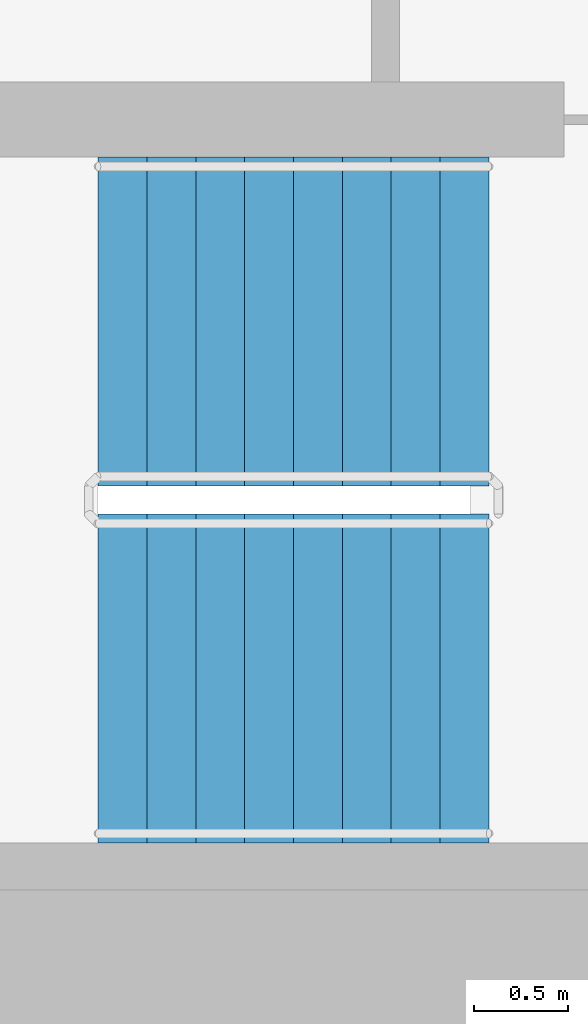
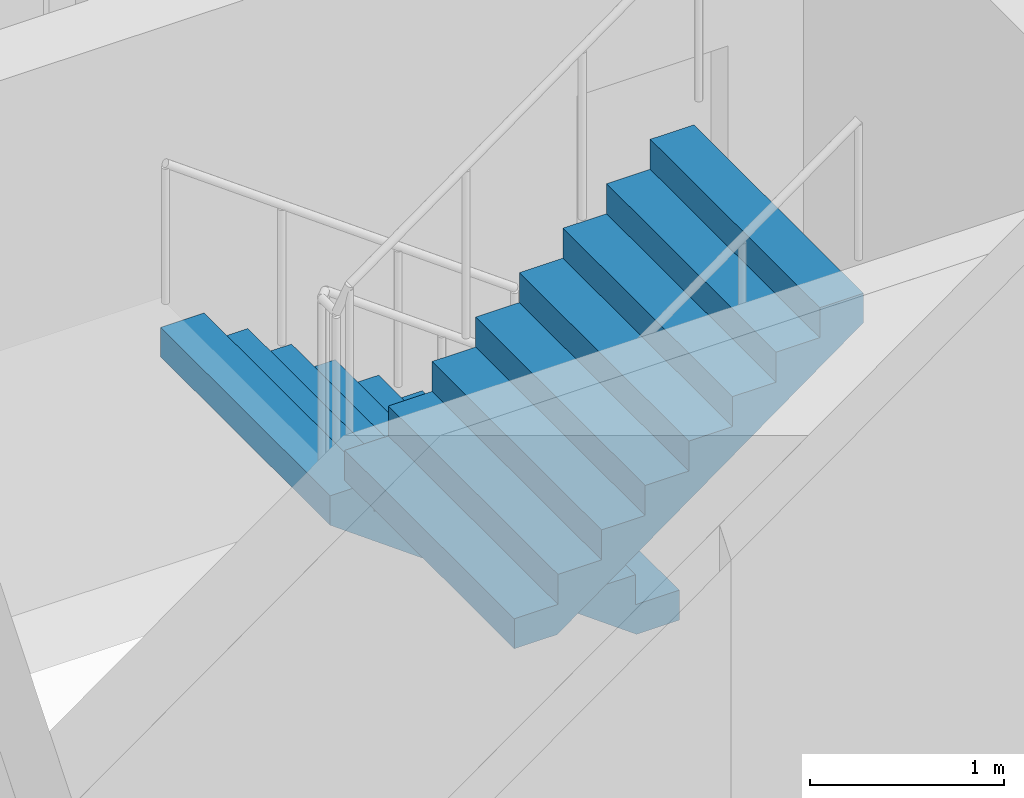
# One storey, part 15 of 21: 2 stair flights, 1 element without a shape of its own.
"""IFC4 building model written with IfcOpenShell, lengths in metres."""

from ifc_helpers import new_model, si_unit, direction, frame, origin, place, context, subcontext, project, spatial, faceted_brep, material, type_object, element, aggregate, save


model = new_model("IFC4")

# Units and contexts
model_context = context("Model", 3, precision=1e-05, world=origin(), true_north=direction((0.0, 1.0)))
body_context = subcontext(model_context, "Body", "Model", "MODEL_VIEW")
ifc_project = project(units=[si_unit("LENGTHUNIT", "METRE"), si_unit("AREAUNIT", "SQUARE_METRE"), si_unit("VOLUMEUNIT", "CUBIC_METRE"), si_unit("PLANEANGLEUNIT", "RADIAN"), si_unit("MASSUNIT", "GRAM", prefix="KILO")], contexts=[model_context])

# Site, building, storey
site_placement = place(None, origin())
site = spatial("IfcSite", under=ifc_project, at=site_placement, CompositionType="ELEMENT")
building_placement = place(site_placement, origin())
building = spatial("IfcBuilding", under=site, at=building_placement, Name="Ipe Terrace Towers", CompositionType="ELEMENT")
storey_placement = place(building_placement, frame((0.0, 0.0, 86.800048828125)))
storey = spatial("IfcBuildingStorey", under=building, at=storey_placement, Name="L23", CompositionType="ELEMENT", Elevation=86.800048828125)

# Stair, stair flights
ifc_material_1 = material(Name="Concrete C30/37", Category="concrete")
stair_type = type_object("IfcStairType", Name="Protected exit stair", PredefinedType="HALF_TURN_STAIR", material=ifc_material_1)
stair_placement = place(storey_placement, origin())
stair = element("IfcStair", 1, at=stair_placement, inside=storey, type_object=stair_type, Name="L23 Exit stair T1-C2", PredefinedType="HALF_TURN_STAIR")
ifc_material_2 = material(Name="Concrete C30/37", Category="concrete")
stair_flight_type = type_object("IfcStairFlightType", Name="Exit stair flight 1750", PredefinedType="STRAIGHT", material=ifc_material_2)
stair_flight_1_placement = place(storey_placement, frame((-45.699951171875, -2.77490234375, 0.0), z_axis=(0.0, 0.0, 1.0), x_axis=(-1.0, 0.0, 0.0)))
stair_flight_1 = element("IfcStairFlight", 2, at=stair_flight_1_placement, type_object=stair_flight_type, Name="T1-ST2 flight 1", NumberOfRisers=9, NumberOfTreads=8, PredefinedType="STRAIGHT", RiserHeight=0.188888889, TreadLength=0.26, context=body_context, shape_type="Brep", body=[
    faceted_brep([(0.255126953125, -0.875, 0.0), (2.080078125, -0.875, 1.325927734375), (2.080078125, -0.875, 1.51123046875), (1.820068359375, -0.875, 1.51123046875), (1.820068359375, -0.875, 1.322265625), (1.56005859375, -0.875, 1.322265625), (1.56005859375, -0.875, 1.13330078125), (1.300048828125, -0.875, 1.13330078125), (1.300048828125, -0.875, 0.9443359375), (1.0400390625, -0.875, 0.9443359375), (1.0400390625, -0.875, 0.755615234375), (0.780029296875, -0.875, 0.755615234375), (0.780029296875, -0.875, 0.566650390625), (0.52001953125, -0.875, 0.566650390625), (0.52001953125, -0.875, 0.377685546875), (0.260009765625, -0.875, 0.377685546875), (0.260009765625, -0.875, 0.18896484375), (0.0, -0.875, 0.18896484375), (0.0, -0.875, 0.0), (0.0, 0.875, 0.0), (0.0, 0.875, 0.18896484375), (0.260009765625, 0.875, 0.18896484375), (0.260009765625, 0.875, 0.377685546875), (0.52001953125, 0.875, 0.377685546875), (0.52001953125, 0.875, 0.566650390625), (0.780029296875, 0.875, 0.566650390625), (0.780029296875, 0.875, 0.755615234375), (1.0400390625, 0.875, 0.755615234375), (1.0400390625, 0.875, 0.9443359375), (1.300048828125, 0.875, 0.9443359375), (1.300048828125, 0.875, 1.13330078125), (1.56005859375, 0.875, 1.13330078125), (1.56005859375, 0.875, 1.322265625), (1.820068359375, 0.875, 1.322265625), (1.820068359375, 0.875, 1.51123046875), (2.080078125, 0.875, 1.51123046875), (2.080078125, 0.875, 1.325927734375), (0.255126953125, 0.875, 0.0), (0.0, -0.300048828125, 0.18896484375), (0.0, -0.1201171875, 0.18896484375), (0.0, -0.06005859375, 0.18896484375), (0.0, -0.030029296875, 0.18896484375), (0.0, -0.010009765625, 0.18896484375), (0.0, 0.0, 0.18896484375), (0.0, 0.010009765625, 0.18896484375), (0.0, 0.030029296875, 0.18896484375), (0.0, 0.06005859375, 0.18896484375), (0.0, 0.1201171875, 0.18896484375), (0.0, 0.300048828125, 0.18896484375), (0.0, 0.300048828125, 0.0), (0.0, 0.1201171875, 0.0), (0.0, 0.06005859375, 0.0), (0.0, 0.030029296875, 0.0), (0.0, 0.010009765625, 0.0), (0.0, 0.0, 0.0), (0.0, -0.010009765625, 0.0), (0.0, -0.030029296875, 0.0), (0.0, -0.06005859375, 0.0), (0.0, -0.1201171875, 0.0), (0.0, -0.300048828125, 0.0), (0.260009765625, -0.300048828125, 0.18896484375), (0.260009765625, -0.1201171875, 0.18896484375), (0.260009765625, -0.06005859375, 0.18896484375), (0.260009765625, -0.030029296875, 0.18896484375), (0.260009765625, -0.010009765625, 0.18896484375), (0.260009765625, 0.0, 0.18896484375), (0.260009765625, 0.010009765625, 0.18896484375), (0.260009765625, 0.030029296875, 0.18896484375), (0.260009765625, 0.06005859375, 0.18896484375), (0.260009765625, 0.1201171875, 0.18896484375), (0.260009765625, 0.300048828125, 0.18896484375), (0.260009765625, -0.300048828125, 0.377685546875), (0.260009765625, -0.1201171875, 0.377685546875), (0.260009765625, -0.06005859375, 0.377685546875), (0.260009765625, -0.030029296875, 0.377685546875), (0.260009765625, -0.010009765625, 0.377685546875), (0.260009765625, 0.0, 0.377685546875), (0.260009765625, 0.010009765625, 0.377685546875), (0.260009765625, 0.030029296875, 0.377685546875), (0.260009765625, 0.06005859375, 0.377685546875), (0.260009765625, 0.1201171875, 0.377685546875), (0.260009765625, 0.300048828125, 0.377685546875), (0.52001953125, -0.300048828125, 0.377685546875), (0.52001953125, -0.1201171875, 0.377685546875), (0.52001953125, -0.06005859375, 0.377685546875), (0.52001953125, -0.030029296875, 0.377685546875), (0.52001953125, -0.010009765625, 0.377685546875), (0.52001953125, 0.0, 0.377685546875), (0.52001953125, 0.010009765625, 0.377685546875), (0.52001953125, 0.030029296875, 0.377685546875), (0.52001953125, 0.06005859375, 0.377685546875), (0.52001953125, 0.1201171875, 0.377685546875), (0.52001953125, 0.300048828125, 0.377685546875), (0.52001953125, -0.300048828125, 0.566650390625), (0.52001953125, -0.1201171875, 0.566650390625), (0.52001953125, -0.06005859375, 0.566650390625), (0.52001953125, -0.030029296875, 0.566650390625), (0.52001953125, -0.010009765625, 0.566650390625), (0.52001953125, 0.0, 0.566650390625), (0.52001953125, 0.010009765625, 0.566650390625), (0.52001953125, 0.030029296875, 0.566650390625), (0.52001953125, 0.06005859375, 0.566650390625), (0.52001953125, 0.1201171875, 0.566650390625), (0.52001953125, 0.300048828125, 0.566650390625), (0.780029296875, -0.300048828125, 0.566650390625), (0.780029296875, -0.1201171875, 0.566650390625), (0.780029296875, -0.06005859375, 0.566650390625), (0.780029296875, -0.030029296875, 0.566650390625), (0.780029296875, -0.010009765625, 0.566650390625), (0.780029296875, 0.0, 0.566650390625), (0.780029296875, 0.010009765625, 0.566650390625), (0.780029296875, 0.030029296875, 0.566650390625), (0.780029296875, 0.06005859375, 0.566650390625), (0.780029296875, 0.1201171875, 0.566650390625), (0.780029296875, 0.300048828125, 0.566650390625), (0.780029296875, -0.300048828125, 0.755615234375), (0.780029296875, -0.1201171875, 0.755615234375), (0.780029296875, -0.06005859375, 0.755615234375), (0.780029296875, -0.030029296875, 0.755615234375), (0.780029296875, -0.010009765625, 0.755615234375), (0.780029296875, 0.0, 0.755615234375), (0.780029296875, 0.010009765625, 0.755615234375), (0.780029296875, 0.030029296875, 0.755615234375), (0.780029296875, 0.06005859375, 0.755615234375), (0.780029296875, 0.1201171875, 0.755615234375), (0.780029296875, 0.300048828125, 0.755615234375), (1.0400390625, -0.300048828125, 0.755615234375), (1.0400390625, -0.1201171875, 0.755615234375), (1.0400390625, -0.06005859375, 0.755615234375), (1.0400390625, -0.030029296875, 0.755615234375), (1.0400390625, -0.010009765625, 0.755615234375), (1.0400390625, 0.0, 0.755615234375), (1.0400390625, 0.010009765625, 0.755615234375), (1.0400390625, 0.030029296875, 0.755615234375), (1.0400390625, 0.06005859375, 0.755615234375), (1.0400390625, 0.1201171875, 0.755615234375), (1.0400390625, 0.300048828125, 0.755615234375), (1.0400390625, -0.300048828125, 0.9443359375), (1.0400390625, -0.1201171875, 0.9443359375), (1.0400390625, -0.06005859375, 0.9443359375), (1.0400390625, -0.030029296875, 0.9443359375), (1.0400390625, -0.010009765625, 0.9443359375), (1.0400390625, 0.0, 0.9443359375), (1.0400390625, 0.010009765625, 0.9443359375), (1.0400390625, 0.030029296875, 0.9443359375), (1.0400390625, 0.06005859375, 0.9443359375), (1.0400390625, 0.1201171875, 0.9443359375), (1.0400390625, 0.300048828125, 0.9443359375), (1.300048828125, -0.300048828125, 0.9443359375), (1.300048828125, -0.1201171875, 0.9443359375), (1.300048828125, -0.06005859375, 0.9443359375), (1.300048828125, -0.030029296875, 0.9443359375), (1.300048828125, -0.010009765625, 0.9443359375), (1.300048828125, 0.0, 0.9443359375), (1.300048828125, 0.010009765625, 0.9443359375), (1.300048828125, 0.030029296875, 0.9443359375), (1.300048828125, 0.06005859375, 0.9443359375), (1.300048828125, 0.1201171875, 0.9443359375), (1.300048828125, 0.300048828125, 0.9443359375), (1.300048828125, -0.300048828125, 1.13330078125), (1.300048828125, -0.1201171875, 1.13330078125), (1.300048828125, -0.06005859375, 1.13330078125), (1.300048828125, -0.030029296875, 1.13330078125), (1.300048828125, -0.010009765625, 1.13330078125), (1.300048828125, 0.0, 1.13330078125), (1.300048828125, 0.010009765625, 1.13330078125), (1.300048828125, 0.030029296875, 1.13330078125), (1.300048828125, 0.06005859375, 1.13330078125), (1.300048828125, 0.1201171875, 1.13330078125), (1.300048828125, 0.300048828125, 1.13330078125), (1.56005859375, -0.300048828125, 1.13330078125), (1.56005859375, -0.1201171875, 1.13330078125), (1.56005859375, -0.06005859375, 1.13330078125), (1.56005859375, -0.030029296875, 1.13330078125), (1.56005859375, -0.010009765625, 1.13330078125), (1.56005859375, 0.0, 1.13330078125), (1.56005859375, 0.010009765625, 1.13330078125), (1.56005859375, 0.030029296875, 1.13330078125), (1.56005859375, 0.06005859375, 1.13330078125), (1.56005859375, 0.1201171875, 1.13330078125), (1.56005859375, 0.300048828125, 1.13330078125), (1.56005859375, -0.300048828125, 1.322265625), (1.56005859375, -0.1201171875, 1.322265625), (1.56005859375, -0.06005859375, 1.322265625), (1.56005859375, -0.030029296875, 1.322265625), (1.56005859375, -0.010009765625, 1.322265625), (1.56005859375, 0.0, 1.322265625), (1.56005859375, 0.010009765625, 1.322265625), (1.56005859375, 0.030029296875, 1.322265625), (1.56005859375, 0.06005859375, 1.322265625), (1.56005859375, 0.1201171875, 1.322265625), (1.56005859375, 0.300048828125, 1.322265625), (1.820068359375, -0.300048828125, 1.322265625), (1.820068359375, -0.1201171875, 1.322265625), (1.820068359375, -0.06005859375, 1.322265625), (1.820068359375, -0.030029296875, 1.322265625), (1.820068359375, -0.010009765625, 1.322265625), (1.820068359375, 0.0, 1.322265625), (1.820068359375, 0.010009765625, 1.322265625), (1.820068359375, 0.030029296875, 1.322265625), (1.820068359375, 0.06005859375, 1.322265625), (1.820068359375, 0.1201171875, 1.322265625), (1.820068359375, 0.300048828125, 1.322265625), (1.820068359375, -0.300048828125, 1.51123046875), (1.820068359375, -0.1201171875, 1.51123046875), (1.820068359375, -0.06005859375, 1.51123046875), (1.820068359375, -0.030029296875, 1.51123046875), (1.820068359375, -0.010009765625, 1.51123046875), (1.820068359375, 0.0, 1.51123046875), (1.820068359375, 0.010009765625, 1.51123046875), (1.820068359375, 0.030029296875, 1.51123046875), (1.820068359375, 0.06005859375, 1.51123046875), (1.820068359375, 0.1201171875, 1.51123046875), (1.820068359375, 0.300048828125, 1.51123046875), (2.080078125, -0.300048828125, 1.51123046875), (2.080078125, -0.1201171875, 1.51123046875), (2.080078125, -0.06005859375, 1.51123046875), (2.080078125, -0.030029296875, 1.51123046875), (2.080078125, -0.010009765625, 1.51123046875), (2.080078125, 0.0, 1.51123046875), (2.080078125, 0.010009765625, 1.51123046875), (2.080078125, 0.030029296875, 1.51123046875), (2.080078125, 0.06005859375, 1.51123046875), (2.080078125, 0.1201171875, 1.51123046875), (2.080078125, 0.300048828125, 1.51123046875), (2.080078125, -0.300048828125, 1.325927734375), (2.080078125, -0.1201171875, 1.325927734375), (2.080078125, -0.06005859375, 1.325927734375), (2.080078125, -0.030029296875, 1.325927734375), (2.080078125, -0.010009765625, 1.325927734375), (2.080078125, 0.0, 1.325927734375), (2.080078125, 0.010009765625, 1.325927734375), (2.080078125, 0.030029296875, 1.325927734375), (2.080078125, 0.06005859375, 1.325927734375), (2.080078125, 0.1201171875, 1.325927734375), (2.080078125, 0.300048828125, 1.325927734375), (0.255126953125, -0.300048828125, 0.0), (0.255126953125, -0.1201171875, 0.0), (0.255126953125, -0.06005859375, 0.0), (0.255126953125, -0.030029296875, 0.0), (0.255126953125, -0.010009765625, 0.0), (0.255126953125, 0.0, 0.0), (0.255126953125, 0.010009765625, 0.0), (0.255126953125, 0.030029296875, 0.0), (0.255126953125, 0.06005859375, 0.0), (0.255126953125, 0.1201171875, 0.0), (0.255126953125, 0.300048828125, 0.0)], [[[0, 1, 2, 3, 4, 5, 6, 7, 8, 9, 10, 11, 12, 13, 14, 15, 16, 17, 18]], [[19, 20, 21, 22, 23, 24, 25, 26, 27, 28, 29, 30, 31, 32, 33, 34, 35, 36, 37]], [[17, 38, 39, 40, 41, 42, 43, 44, 45, 46, 47, 48, 20, 19, 49, 50, 51, 52, 53, 54, 55, 56, 57, 58, 59, 18]], [[16, 60, 61, 62, 63, 64, 65, 66, 67, 68, 69, 70, 21, 20, 48, 47, 46, 45, 44, 43, 42, 41, 40, 39, 38, 17]], [[15, 71, 72, 73, 74, 75, 76, 77, 78, 79, 80, 81, 22, 21, 70, 69, 68, 67, 66, 65, 64, 63, 62, 61, 60, 16]], [[14, 82, 83, 84, 85, 86, 87, 88, 89, 90, 91, 92, 23, 22, 81, 80, 79, 78, 77, 76, 75, 74, 73, 72, 71, 15]], [[13, 93, 94, 95, 96, 97, 98, 99, 100, 101, 102, 103, 24, 23, 92, 91, 90, 89, 88, 87, 86, 85, 84, 83, 82, 14]], [[12, 104, 105, 106, 107, 108, 109, 110, 111, 112, 113, 114, 25, 24, 103, 102, 101, 100, 99, 98, 97, 96, 95, 94, 93, 13]], [[11, 115, 116, 117, 118, 119, 120, 121, 122, 123, 124, 125, 26, 25, 114, 113, 112, 111, 110, 109, 108, 107, 106, 105, 104, 12]], [[10, 126, 127, 128, 129, 130, 131, 132, 133, 134, 135, 136, 27, 26, 125, 124, 123, 122, 121, 120, 119, 118, 117, 116, 115, 11]], [[9, 137, 138, 139, 140, 141, 142, 143, 144, 145, 146, 147, 28, 27, 136, 135, 134, 133, 132, 131, 130, 129, 128, 127, 126, 10]], [[8, 148, 149, 150, 151, 152, 153, 154, 155, 156, 157, 158, 29, 28, 147, 146, 145, 144, 143, 142, 141, 140, 139, 138, 137, 9]], [[7, 159, 160, 161, 162, 163, 164, 165, 166, 167, 168, 169, 30, 29, 158, 157, 156, 155, 154, 153, 152, 151, 150, 149, 148, 8]], [[6, 170, 171, 172, 173, 174, 175, 176, 177, 178, 179, 180, 31, 30, 169, 168, 167, 166, 165, 164, 163, 162, 161, 160, 159, 7]], [[5, 181, 182, 183, 184, 185, 186, 187, 188, 189, 190, 191, 32, 31, 180, 179, 178, 177, 176, 175, 174, 173, 172, 171, 170, 6]], [[4, 192, 193, 194, 195, 196, 197, 198, 199, 200, 201, 202, 33, 32, 191, 190, 189, 188, 187, 186, 185, 184, 183, 182, 181, 5]], [[3, 203, 204, 205, 206, 207, 208, 209, 210, 211, 212, 213, 34, 33, 202, 201, 200, 199, 198, 197, 196, 195, 194, 193, 192, 4]], [[2, 214, 215, 216, 217, 218, 219, 220, 221, 222, 223, 224, 35, 34, 213, 212, 211, 210, 209, 208, 207, 206, 205, 204, 203, 3]], [[1, 225, 226, 227, 228, 229, 230, 231, 232, 233, 234, 235, 36, 35, 224, 223, 222, 221, 220, 219, 218, 217, 216, 215, 214, 2]], [[0, 236, 237, 238, 239, 240, 241, 242, 243, 244, 245, 246, 37, 36, 235, 234, 233, 232, 231, 230, 229, 228, 227, 226, 225, 1]], [[18, 59, 58, 57, 56, 55, 54, 53, 52, 51, 50, 49, 19, 37, 246, 245, 244, 243, 242, 241, 240, 239, 238, 237, 236, 0]]]),
])
stair_flight_2_placement = place(storey_placement, frame((-47.780029296875, -4.675048828125, 1.699951171875), z_axis=(0.0, 0.0, 1.0), x_axis=(1.0, 0.0, 0.0)))
stair_flight_2 = element("IfcStairFlight", 3, at=stair_flight_2_placement, type_object=stair_flight_type, Name="T1-ST2 flight 2", NumberOfRisers=9, NumberOfTreads=8, PredefinedType="STRAIGHT", RiserHeight=0.188888889, TreadLength=0.26, context=body_context, shape_type="Brep", body=[
    faceted_brep([(0.255126953125, -0.875, 0.0), (2.080078125, -0.875, 1.325927734375), (2.080078125, -0.875, 1.51123046875), (1.820068359375, -0.875, 1.51123046875), (1.820068359375, -0.875, 1.322265625), (1.56005859375, -0.875, 1.322265625), (1.56005859375, -0.875, 1.13330078125), (1.300048828125, -0.875, 1.13330078125), (1.300048828125, -0.875, 0.9443359375), (1.0400390625, -0.875, 0.9443359375), (1.0400390625, -0.875, 0.755615234375), (0.780029296875, -0.875, 0.755615234375), (0.780029296875, -0.875, 0.566650390625), (0.52001953125, -0.875, 0.566650390625), (0.52001953125, -0.875, 0.377685546875), (0.260009765625, -0.875, 0.377685546875), (0.260009765625, -0.875, 0.18896484375), (0.0, -0.875, 0.18896484375), (0.0, -0.875, 0.0), (0.0, 0.875, 0.0), (0.0, 0.875, 0.18896484375), (0.260009765625, 0.875, 0.18896484375), (0.260009765625, 0.875, 0.377685546875), (0.52001953125, 0.875, 0.377685546875), (0.52001953125, 0.875, 0.566650390625), (0.780029296875, 0.875, 0.566650390625), (0.780029296875, 0.875, 0.755615234375), (1.0400390625, 0.875, 0.755615234375), (1.0400390625, 0.875, 0.9443359375), (1.300048828125, 0.875, 0.9443359375), (1.300048828125, 0.875, 1.13330078125), (1.56005859375, 0.875, 1.13330078125), (1.56005859375, 0.875, 1.322265625), (1.820068359375, 0.875, 1.322265625), (1.820068359375, 0.875, 1.51123046875), (2.080078125, 0.875, 1.51123046875), (2.080078125, 0.875, 1.325927734375), (0.255126953125, 0.875, 0.0), (0.0, -0.300048828125, 0.18896484375), (0.0, -0.1201171875, 0.18896484375), (0.0, -0.06005859375, 0.18896484375), (0.0, -0.030029296875, 0.18896484375), (0.0, -0.010009765625, 0.18896484375), (0.0, 0.0, 0.18896484375), (0.0, 0.010009765625, 0.18896484375), (0.0, 0.030029296875, 0.18896484375), (0.0, 0.06005859375, 0.18896484375), (0.0, 0.1201171875, 0.18896484375), (0.0, 0.300048828125, 0.18896484375), (0.0, 0.300048828125, 0.0), (0.0, 0.1201171875, 0.0), (0.0, 0.06005859375, 0.0), (0.0, 0.030029296875, 0.0), (0.0, 0.010009765625, 0.0), (0.0, 0.0, 0.0), (0.0, -0.010009765625, 0.0), (0.0, -0.030029296875, 0.0), (0.0, -0.06005859375, 0.0), (0.0, -0.1201171875, 0.0), (0.0, -0.300048828125, 0.0), (0.260009765625, -0.300048828125, 0.18896484375), (0.260009765625, -0.1201171875, 0.18896484375), (0.260009765625, -0.06005859375, 0.18896484375), (0.260009765625, -0.030029296875, 0.18896484375), (0.260009765625, -0.010009765625, 0.18896484375), (0.260009765625, 0.0, 0.18896484375), (0.260009765625, 0.010009765625, 0.18896484375), (0.260009765625, 0.030029296875, 0.18896484375), (0.260009765625, 0.06005859375, 0.18896484375), (0.260009765625, 0.1201171875, 0.18896484375), (0.260009765625, 0.300048828125, 0.18896484375), (0.260009765625, -0.300048828125, 0.377685546875), (0.260009765625, -0.1201171875, 0.377685546875), (0.260009765625, -0.06005859375, 0.377685546875), (0.260009765625, -0.030029296875, 0.377685546875), (0.260009765625, -0.010009765625, 0.377685546875), (0.260009765625, 0.0, 0.377685546875), (0.260009765625, 0.010009765625, 0.377685546875), (0.260009765625, 0.030029296875, 0.377685546875), (0.260009765625, 0.06005859375, 0.377685546875), (0.260009765625, 0.1201171875, 0.377685546875), (0.260009765625, 0.300048828125, 0.377685546875), (0.52001953125, -0.300048828125, 0.377685546875), (0.52001953125, -0.1201171875, 0.377685546875), (0.52001953125, -0.06005859375, 0.377685546875), (0.52001953125, -0.030029296875, 0.377685546875), (0.52001953125, -0.010009765625, 0.377685546875), (0.52001953125, 0.0, 0.377685546875), (0.52001953125, 0.010009765625, 0.377685546875), (0.52001953125, 0.030029296875, 0.377685546875), (0.52001953125, 0.06005859375, 0.377685546875), (0.52001953125, 0.1201171875, 0.377685546875), (0.52001953125, 0.300048828125, 0.377685546875), (0.52001953125, -0.300048828125, 0.566650390625), (0.52001953125, -0.1201171875, 0.566650390625), (0.52001953125, -0.06005859375, 0.566650390625), (0.52001953125, -0.030029296875, 0.566650390625), (0.52001953125, -0.010009765625, 0.566650390625), (0.52001953125, 0.0, 0.566650390625), (0.52001953125, 0.010009765625, 0.566650390625), (0.52001953125, 0.030029296875, 0.566650390625), (0.52001953125, 0.06005859375, 0.566650390625), (0.52001953125, 0.1201171875, 0.566650390625), (0.52001953125, 0.300048828125, 0.566650390625), (0.780029296875, -0.300048828125, 0.566650390625), (0.780029296875, -0.1201171875, 0.566650390625), (0.780029296875, -0.06005859375, 0.566650390625), (0.780029296875, -0.030029296875, 0.566650390625), (0.780029296875, -0.010009765625, 0.566650390625), (0.780029296875, 0.0, 0.566650390625), (0.780029296875, 0.010009765625, 0.566650390625), (0.780029296875, 0.030029296875, 0.566650390625), (0.780029296875, 0.06005859375, 0.566650390625), (0.780029296875, 0.1201171875, 0.566650390625), (0.780029296875, 0.300048828125, 0.566650390625), (0.780029296875, -0.300048828125, 0.755615234375), (0.780029296875, -0.1201171875, 0.755615234375), (0.780029296875, -0.06005859375, 0.755615234375), (0.780029296875, -0.030029296875, 0.755615234375), (0.780029296875, -0.010009765625, 0.755615234375), (0.780029296875, 0.0, 0.755615234375), (0.780029296875, 0.010009765625, 0.755615234375), (0.780029296875, 0.030029296875, 0.755615234375), (0.780029296875, 0.06005859375, 0.755615234375), (0.780029296875, 0.1201171875, 0.755615234375), (0.780029296875, 0.300048828125, 0.755615234375), (1.0400390625, -0.300048828125, 0.755615234375), (1.0400390625, -0.1201171875, 0.755615234375), (1.0400390625, -0.06005859375, 0.755615234375), (1.0400390625, -0.030029296875, 0.755615234375), (1.0400390625, -0.010009765625, 0.755615234375), (1.0400390625, 0.0, 0.755615234375), (1.0400390625, 0.010009765625, 0.755615234375), (1.0400390625, 0.030029296875, 0.755615234375), (1.0400390625, 0.06005859375, 0.755615234375), (1.0400390625, 0.1201171875, 0.755615234375), (1.0400390625, 0.300048828125, 0.755615234375), (1.0400390625, -0.300048828125, 0.9443359375), (1.0400390625, -0.1201171875, 0.9443359375), (1.0400390625, -0.06005859375, 0.9443359375), (1.0400390625, -0.030029296875, 0.9443359375), (1.0400390625, -0.010009765625, 0.9443359375), (1.0400390625, 0.0, 0.9443359375), (1.0400390625, 0.010009765625, 0.9443359375), (1.0400390625, 0.030029296875, 0.9443359375), (1.0400390625, 0.06005859375, 0.9443359375), (1.0400390625, 0.1201171875, 0.9443359375), (1.0400390625, 0.300048828125, 0.9443359375), (1.300048828125, -0.300048828125, 0.9443359375), (1.300048828125, -0.1201171875, 0.9443359375), (1.300048828125, -0.06005859375, 0.9443359375), (1.300048828125, -0.030029296875, 0.9443359375), (1.300048828125, -0.010009765625, 0.9443359375), (1.300048828125, 0.0, 0.9443359375), (1.300048828125, 0.010009765625, 0.9443359375), (1.300048828125, 0.030029296875, 0.9443359375), (1.300048828125, 0.06005859375, 0.9443359375), (1.300048828125, 0.1201171875, 0.9443359375), (1.300048828125, 0.300048828125, 0.9443359375), (1.300048828125, -0.300048828125, 1.13330078125), (1.300048828125, -0.1201171875, 1.13330078125), (1.300048828125, -0.06005859375, 1.13330078125), (1.300048828125, -0.030029296875, 1.13330078125), (1.300048828125, -0.010009765625, 1.13330078125), (1.300048828125, 0.0, 1.13330078125), (1.300048828125, 0.010009765625, 1.13330078125), (1.300048828125, 0.030029296875, 1.13330078125), (1.300048828125, 0.06005859375, 1.13330078125), (1.300048828125, 0.1201171875, 1.13330078125), (1.300048828125, 0.300048828125, 1.13330078125), (1.56005859375, -0.300048828125, 1.13330078125), (1.56005859375, -0.1201171875, 1.13330078125), (1.56005859375, -0.06005859375, 1.13330078125), (1.56005859375, -0.030029296875, 1.13330078125), (1.56005859375, -0.010009765625, 1.13330078125), (1.56005859375, 0.0, 1.13330078125), (1.56005859375, 0.010009765625, 1.13330078125), (1.56005859375, 0.030029296875, 1.13330078125), (1.56005859375, 0.06005859375, 1.13330078125), (1.56005859375, 0.1201171875, 1.13330078125), (1.56005859375, 0.300048828125, 1.13330078125), (1.56005859375, -0.300048828125, 1.322265625), (1.56005859375, -0.1201171875, 1.322265625), (1.56005859375, -0.06005859375, 1.322265625), (1.56005859375, -0.030029296875, 1.322265625), (1.56005859375, -0.010009765625, 1.322265625), (1.56005859375, 0.0, 1.322265625), (1.56005859375, 0.010009765625, 1.322265625), (1.56005859375, 0.030029296875, 1.322265625), (1.56005859375, 0.06005859375, 1.322265625), (1.56005859375, 0.1201171875, 1.322265625), (1.56005859375, 0.300048828125, 1.322265625), (1.820068359375, -0.300048828125, 1.322265625), (1.820068359375, -0.1201171875, 1.322265625), (1.820068359375, -0.06005859375, 1.322265625), (1.820068359375, -0.030029296875, 1.322265625), (1.820068359375, -0.010009765625, 1.322265625), (1.820068359375, 0.0, 1.322265625), (1.820068359375, 0.010009765625, 1.322265625), (1.820068359375, 0.030029296875, 1.322265625), (1.820068359375, 0.06005859375, 1.322265625), (1.820068359375, 0.1201171875, 1.322265625), (1.820068359375, 0.300048828125, 1.322265625), (1.820068359375, -0.300048828125, 1.51123046875), (1.820068359375, -0.1201171875, 1.51123046875), (1.820068359375, -0.06005859375, 1.51123046875), (1.820068359375, -0.030029296875, 1.51123046875), (1.820068359375, -0.010009765625, 1.51123046875), (1.820068359375, 0.0, 1.51123046875), (1.820068359375, 0.010009765625, 1.51123046875), (1.820068359375, 0.030029296875, 1.51123046875), (1.820068359375, 0.06005859375, 1.51123046875), (1.820068359375, 0.1201171875, 1.51123046875), (1.820068359375, 0.300048828125, 1.51123046875), (2.080078125, -0.300048828125, 1.51123046875), (2.080078125, -0.1201171875, 1.51123046875), (2.080078125, -0.06005859375, 1.51123046875), (2.080078125, -0.030029296875, 1.51123046875), (2.080078125, -0.010009765625, 1.51123046875), (2.080078125, 0.0, 1.51123046875), (2.080078125, 0.010009765625, 1.51123046875), (2.080078125, 0.030029296875, 1.51123046875), (2.080078125, 0.06005859375, 1.51123046875), (2.080078125, 0.1201171875, 1.51123046875), (2.080078125, 0.300048828125, 1.51123046875), (2.080078125, -0.300048828125, 1.325927734375), (2.080078125, -0.1201171875, 1.325927734375), (2.080078125, -0.06005859375, 1.325927734375), (2.080078125, -0.030029296875, 1.325927734375), (2.080078125, -0.010009765625, 1.325927734375), (2.080078125, 0.0, 1.325927734375), (2.080078125, 0.010009765625, 1.325927734375), (2.080078125, 0.030029296875, 1.325927734375), (2.080078125, 0.06005859375, 1.325927734375), (2.080078125, 0.1201171875, 1.325927734375), (2.080078125, 0.300048828125, 1.325927734375), (0.255126953125, -0.300048828125, 0.0), (0.255126953125, -0.1201171875, 0.0), (0.255126953125, -0.06005859375, 0.0), (0.255126953125, -0.030029296875, 0.0), (0.255126953125, -0.010009765625, 0.0), (0.255126953125, 0.0, 0.0), (0.255126953125, 0.010009765625, 0.0), (0.255126953125, 0.030029296875, 0.0), (0.255126953125, 0.06005859375, 0.0), (0.255126953125, 0.1201171875, 0.0), (0.255126953125, 0.300048828125, 0.0)], [[[0, 1, 2, 3, 4, 5, 6, 7, 8, 9, 10, 11, 12, 13, 14, 15, 16, 17, 18]], [[19, 20, 21, 22, 23, 24, 25, 26, 27, 28, 29, 30, 31, 32, 33, 34, 35, 36, 37]], [[17, 38, 39, 40, 41, 42, 43, 44, 45, 46, 47, 48, 20, 19, 49, 50, 51, 52, 53, 54, 55, 56, 57, 58, 59, 18]], [[16, 60, 61, 62, 63, 64, 65, 66, 67, 68, 69, 70, 21, 20, 48, 47, 46, 45, 44, 43, 42, 41, 40, 39, 38, 17]], [[15, 71, 72, 73, 74, 75, 76, 77, 78, 79, 80, 81, 22, 21, 70, 69, 68, 67, 66, 65, 64, 63, 62, 61, 60, 16]], [[14, 82, 83, 84, 85, 86, 87, 88, 89, 90, 91, 92, 23, 22, 81, 80, 79, 78, 77, 76, 75, 74, 73, 72, 71, 15]], [[13, 93, 94, 95, 96, 97, 98, 99, 100, 101, 102, 103, 24, 23, 92, 91, 90, 89, 88, 87, 86, 85, 84, 83, 82, 14]], [[12, 104, 105, 106, 107, 108, 109, 110, 111, 112, 113, 114, 25, 24, 103, 102, 101, 100, 99, 98, 97, 96, 95, 94, 93, 13]], [[11, 115, 116, 117, 118, 119, 120, 121, 122, 123, 124, 125, 26, 25, 114, 113, 112, 111, 110, 109, 108, 107, 106, 105, 104, 12]], [[10, 126, 127, 128, 129, 130, 131, 132, 133, 134, 135, 136, 27, 26, 125, 124, 123, 122, 121, 120, 119, 118, 117, 116, 115, 11]], [[9, 137, 138, 139, 140, 141, 142, 143, 144, 145, 146, 147, 28, 27, 136, 135, 134, 133, 132, 131, 130, 129, 128, 127, 126, 10]], [[8, 148, 149, 150, 151, 152, 153, 154, 155, 156, 157, 158, 29, 28, 147, 146, 145, 144, 143, 142, 141, 140, 139, 138, 137, 9]], [[7, 159, 160, 161, 162, 163, 164, 165, 166, 167, 168, 169, 30, 29, 158, 157, 156, 155, 154, 153, 152, 151, 150, 149, 148, 8]], [[6, 170, 171, 172, 173, 174, 175, 176, 177, 178, 179, 180, 31, 30, 169, 168, 167, 166, 165, 164, 163, 162, 161, 160, 159, 7]], [[5, 181, 182, 183, 184, 185, 186, 187, 188, 189, 190, 191, 32, 31, 180, 179, 178, 177, 176, 175, 174, 173, 172, 171, 170, 6]], [[4, 192, 193, 194, 195, 196, 197, 198, 199, 200, 201, 202, 33, 32, 191, 190, 189, 188, 187, 186, 185, 184, 183, 182, 181, 5]], [[3, 203, 204, 205, 206, 207, 208, 209, 210, 211, 212, 213, 34, 33, 202, 201, 200, 199, 198, 197, 196, 195, 194, 193, 192, 4]], [[2, 214, 215, 216, 217, 218, 219, 220, 221, 222, 223, 224, 35, 34, 213, 212, 211, 210, 209, 208, 207, 206, 205, 204, 203, 3]], [[1, 225, 226, 227, 228, 229, 230, 231, 232, 233, 234, 235, 36, 35, 224, 223, 222, 221, 220, 219, 218, 217, 216, 215, 214, 2]], [[0, 236, 237, 238, 239, 240, 241, 242, 243, 244, 245, 246, 37, 36, 235, 234, 233, 232, 231, 230, 229, 228, 227, 226, 225, 1]], [[18, 59, 58, 57, 56, 55, 54, 53, 52, 51, 50, 49, 19, 37, 246, 245, 244, 243, 242, 241, 240, 239, 238, 237, 236, 0]]]),
])
aggregate(stair, [stair_flight_1, stair_flight_2])

save(model, "model.ifc")
